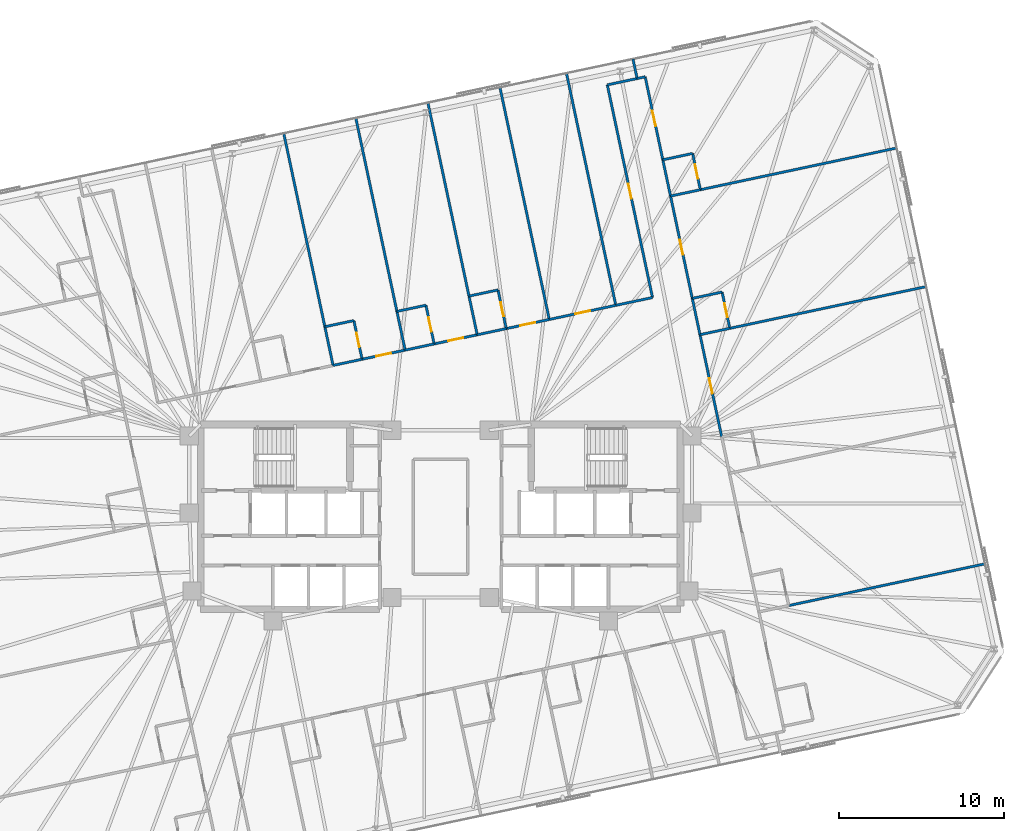
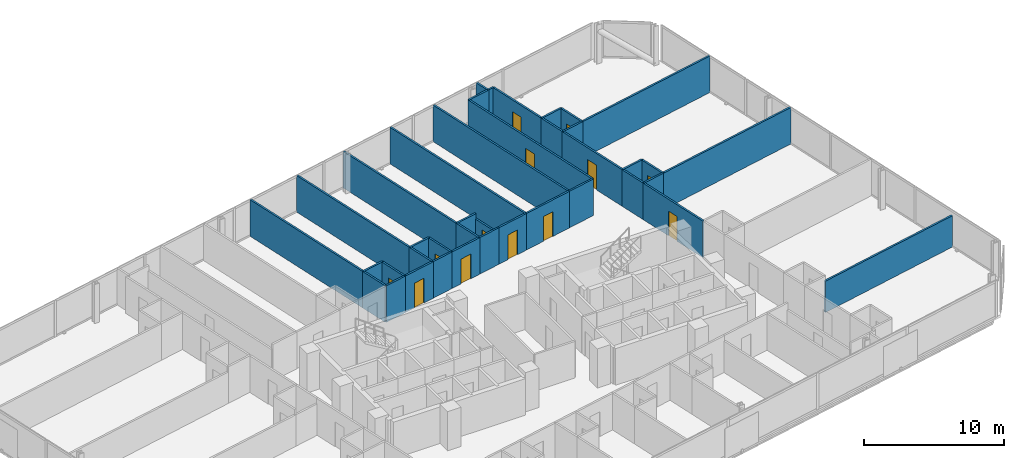
# One storey, part 18 of 20: 40 walls, 13 doors, 13 openings.
"""IFC4 building model written with IfcOpenShell, lengths in metres."""

from ifc_helpers import new_model, si_unit, direction, frame, frame_2d, origin, place, context, subcontext, project, spatial, rectangle, extrude, material, layer, layer_set, type_object, element, fill, save


model = new_model("IFC4")

# Units and contexts
model_context = context("Model", 3, precision=1e-05, world=origin(), true_north=direction((0.0, 1.0)))
body_context = subcontext(model_context, "Body", "Model", "MODEL_VIEW")
ifc_project = project(units=[si_unit("LENGTHUNIT", "METRE"), si_unit("AREAUNIT", "SQUARE_METRE"), si_unit("VOLUMEUNIT", "CUBIC_METRE"), si_unit("PLANEANGLEUNIT", "RADIAN"), si_unit("MASSUNIT", "GRAM", prefix="KILO")], contexts=[model_context])

# Site, building, storey
site_placement = place(None, origin())
site = spatial("IfcSite", under=ifc_project, at=site_placement, CompositionType="ELEMENT")
building_placement = place(site_placement, origin())
building = spatial("IfcBuilding", under=site, at=building_placement, Name="Menara Jurai Vektor", CompositionType="ELEMENT")
storey_placement = place(building_placement, frame((0.0, 0.0, 185.39990234375)))
storey = spatial("IfcBuildingStorey", under=building, at=storey_placement, Name="L48", CompositionType="ELEMENT", Elevation=185.39990234375)

# Wall, opening, door
ifc_material_1 = material(Name="Gypsum Fireboard Partition", Category="gypsum")
ifc_layer_1 = layer(ifc_material_1, 0.14990234375)
ifc_layer_set_1 = layer_set([ifc_layer_1], Name="Gypsum Fireboard Partition")
wall_type_1 = type_object("IfcWallType", Name="INT-WALL-CORR-150", PredefinedType="PARTITIONING", material=ifc_layer_set_1)
wall_1_placement = place(storey_placement, frame((-4.763427734375, 9.561279296875, 0.0), z_axis=(0.0, 0.0, 1.0), x_axis=(0.978139565144, 0.207949491702, 0.0)))
wall_1 = element("IfcWall", 1, at=wall_1_placement, inside=storey, type_object=wall_type_1, Name="Interior Wall IW-150 L48", PredefinedType="PARTITIONING", context=body_context, shape_type="SweptSolid", body=[
    extrude(rectangle(XDim=2.6708984375, YDim=0.14990234375, at=frame_2d((1.33544921875, 0.0))), origin(), (0.0, 0.0, 1.0), 3.175048828125),
])
opening_1_placement = place(wall_1_placement, frame((0.87548828125, 0.0, 0.0)))
opening_1 = element("IfcOpeningElement", 2, at=opening_1_placement, cuts=wall_1, Name="Opening D48-11", PredefinedType="OPENING", context=body_context, shape_type="SweptSolid", body=[
    extrude(rectangle(XDim=0.919921875, YDim=2.14990234375, at=frame_2d((0.4599609375, 1.074951171875))), frame((0.0, 0.0849609375, 0.0), z_axis=(0.0, -1.0, 0.0), x_axis=(1.0, 0.0, 0.0)), (0.0, 0.0, 1.0), 0.169921875),
])
ifc_material_2 = material(Name="Solid Core Timber Fire Door", Category="wood")
door_type_1 = type_object("IfcDoorType", Name="DR-ENTRY-950", OperationType="NOTDEFINED", PredefinedType="DOOR", material=ifc_material_2)
door_1_placement = place(opening_1_placement, origin())
door_1 = element("IfcDoor", 3, at=door_1_placement, inside=storey, type_object=door_type_1, Name="Interior Door D48-11", OperationType="SINGLE_SWING_RIGHT", OverallHeight=2.14990234375, OverallWidth=0.919921875, PredefinedType="DOOR", context=body_context, shape_type="SweptSolid", body=[
    extrude(rectangle(XDim=0.919921875, YDim=2.14990234375, at=frame_2d((0.4599609375, 1.074951171875))), frame((0.0, 0.02490234375, 0.0), z_axis=(0.0, -1.0, 0.0), x_axis=(1.0, 0.0, 0.0)), (0.0, 0.0, 1.0), 0.050048828125),
])
fill(opening_1, door_1)

# Wall
wall_2_placement = place(storey_placement, frame((-6.524169921875, 9.18701171875, 0.0), z_axis=(0.0, 0.0, 1.0), x_axis=(0.978146440129, 0.207917150959, 0.0)))
element("IfcWall", 4, at=wall_2_placement, inside=storey, type_object=wall_type_1, Name="Interior Wall IW-150 L48", PredefinedType="PARTITIONING", context=body_context, shape_type="SweptSolid", body=[
    extrude(rectangle(XDim=1.800048828125, YDim=0.14990234375, at=frame_2d((0.89990234375, 0.0))), origin(), (0.0, 0.0, 1.0), 3.175048828125),
])

# Wall, opening, door
wall_3_placement = place(storey_placement, frame((-0.39013671875, 10.490966796875, 0.0), z_axis=(0.0, 0.0, 1.0), x_axis=(0.978155367406, 0.207875148141, 0.0)))
wall_3 = element("IfcWall", 5, at=wall_3_placement, inside=storey, type_object=wall_type_1, Name="Interior Wall IW-150 L48", PredefinedType="PARTITIONING", context=body_context, shape_type="SweptSolid", body=[
    extrude(rectangle(XDim=2.671875, YDim=0.14990234375, at=frame_2d((1.3359375, 0.0))), origin(), (0.0, 0.0, 1.0), 3.175048828125),
])
opening_2_placement = place(wall_3_placement, frame((0.8759765625, 0.0, 0.0)))
opening_2 = element("IfcOpeningElement", 6, at=opening_2_placement, cuts=wall_3, Name="Opening D48-13", PredefinedType="OPENING", context=body_context, shape_type="SweptSolid", body=[
    extrude(rectangle(XDim=0.919921875, YDim=2.14990234375, at=frame_2d((0.4599609375, 1.074951171875))), frame((0.0, 0.0849609375, 0.0), z_axis=(0.0, -1.0, 0.0), x_axis=(1.0, 0.0, 0.0)), (0.0, 0.0, 1.0), 0.169921875),
])
door_2_placement = place(opening_2_placement, origin())
door_2 = element("IfcDoor", 7, at=door_2_placement, inside=storey, type_object=door_type_1, Name="Interior Door D48-13", OperationType="SINGLE_SWING_RIGHT", OverallHeight=2.14990234375, OverallWidth=0.919921875, PredefinedType="DOOR", context=body_context, shape_type="SweptSolid", body=[
    extrude(rectangle(XDim=0.919921875, YDim=2.14990234375, at=frame_2d((0.4599609375, 1.074951171875))), frame((0.0, 0.02490234375, 0.0), z_axis=(0.0, -1.0, 0.0), x_axis=(1.0, 0.0, 0.0)), (0.0, 0.0, 1.0), 0.050048828125),
])
fill(opening_2, door_2)

# Wall
wall_4_placement = place(storey_placement, frame((-2.15087890625, 10.11669921875, 0.0), z_axis=(0.0, 0.0, 1.0), x_axis=(0.978146440129, 0.207917150959, 0.0)))
element("IfcWall", 8, at=wall_4_placement, inside=storey, type_object=wall_type_1, Name="Interior Wall IW-150 L48", PredefinedType="PARTITIONING", context=body_context, shape_type="SweptSolid", body=[
    extrude(rectangle(XDim=1.800048828125, YDim=0.14990234375, at=frame_2d((0.89990234375, 0.0))), origin(), (0.0, 0.0, 1.0), 3.175048828125),
])

# Wall, opening, door
wall_5_placement = place(storey_placement, frame((3.984130859375, 11.420654296875, 0.0), z_axis=(0.0, 0.0, 1.0), x_axis=(0.978139565144, 0.207949491702, 0.0)))
wall_5 = element("IfcWall", 9, at=wall_5_placement, inside=storey, type_object=wall_type_1, Name="Interior Wall IW-150 L48", PredefinedType="PARTITIONING", context=body_context, shape_type="SweptSolid", body=[
    extrude(rectangle(XDim=2.6708984375, YDim=0.14990234375, at=frame_2d((1.33544921875, 0.0))), origin(), (0.0, 0.0, 1.0), 3.175048828125),
])
opening_3_placement = place(wall_5_placement, frame((0.87548828125, 0.0, 0.0)))
opening_3 = element("IfcOpeningElement", 10, at=opening_3_placement, cuts=wall_5, Name="Opening D48-15", PredefinedType="OPENING", context=body_context, shape_type="SweptSolid", body=[
    extrude(rectangle(XDim=0.919921875, YDim=2.14990234375, at=frame_2d((0.4599609375, 1.074951171875))), frame((0.0, 0.0849609375, 0.0), z_axis=(0.0, -1.0, 0.0), x_axis=(1.0, 0.0, 0.0)), (0.0, 0.0, 1.0), 0.169921875),
])
door_3_placement = place(opening_3_placement, origin())
door_3 = element("IfcDoor", 11, at=door_3_placement, inside=storey, type_object=door_type_1, Name="Interior Door D48-15", OperationType="SINGLE_SWING_RIGHT", OverallHeight=2.14990234375, OverallWidth=0.919921875, PredefinedType="DOOR", context=body_context, shape_type="SweptSolid", body=[
    extrude(rectangle(XDim=0.919921875, YDim=2.14990234375, at=frame_2d((0.4599609375, 1.074951171875))), frame((0.0, 0.02490234375, 0.0), z_axis=(0.0, -1.0, 0.0), x_axis=(1.0, 0.0, 0.0)), (0.0, 0.0, 1.0), 0.050048828125),
])
fill(opening_3, door_3)

# Wall
wall_6_placement = place(storey_placement, frame((2.223388671875, 11.04638671875, 0.0), z_axis=(0.0, 0.0, 1.0), x_axis=(0.978146440129, 0.207917150959, 0.0)))
element("IfcWall", 12, at=wall_6_placement, inside=storey, type_object=wall_type_1, Name="Interior Wall IW-150 L48", PredefinedType="PARTITIONING", context=body_context, shape_type="SweptSolid", body=[
    extrude(rectangle(XDim=1.800048828125, YDim=0.14990234375, at=frame_2d((0.89990234375, 0.0))), origin(), (0.0, 0.0, 1.0), 3.175048828125),
])

# Wall, opening, door
wall_7_placement = place(storey_placement, frame((6.5966796875, 11.97607421875, 0.0), z_axis=(0.0, 0.0, 1.0), x_axis=(0.978155092113, 0.207876443525, 0.0)))
wall_7 = element("IfcWall", 13, at=wall_7_placement, inside=storey, type_object=wall_type_1, Name="Interior Wall IW-150 L48", PredefinedType="PARTITIONING", context=body_context, shape_type="SweptSolid", body=[
    extrude(rectangle(XDim=4.126953125, YDim=0.14990234375, at=frame_2d((2.0634765625, 0.0))), origin(), (0.0, 0.0, 1.0), 3.175048828125),
])
opening_4_placement = place(wall_7_placement, frame((1.603515625, 0.0, 0.0)))
opening_4 = element("IfcOpeningElement", 14, at=opening_4_placement, cuts=wall_7, Name="Opening D48-17", PredefinedType="OPENING", context=body_context, shape_type="SweptSolid", body=[
    extrude(rectangle(XDim=0.919921875, YDim=2.14990234375, at=frame_2d((0.4599609375, 1.074951171875))), frame((0.0, 0.0849609375, 0.0), z_axis=(0.0, -1.0, 0.0), x_axis=(1.0, 0.0, 0.0)), (0.0, 0.0, 1.0), 0.169921875),
])
door_4_placement = place(opening_4_placement, origin())
door_4 = element("IfcDoor", 15, at=door_4_placement, inside=storey, type_object=door_type_1, Name="Interior Door D48-17", OperationType="SINGLE_SWING_RIGHT", OverallHeight=2.14990234375, OverallWidth=0.919921875, PredefinedType="DOOR", context=body_context, shape_type="SweptSolid", body=[
    extrude(rectangle(XDim=0.919921875, YDim=2.14990234375, at=frame_2d((0.4599609375, 1.074951171875))), frame((0.0, 0.02490234375, 0.0), z_axis=(0.0, -1.0, 0.0), x_axis=(1.0, 0.0, 0.0)), (0.0, 0.0, 1.0), 0.050048828125),
])
fill(opening_4, door_4)

# Wall
wall_8_placement = place(storey_placement, frame((10.633544921875, 12.833984375, 0.0), z_axis=(0.0, 0.0, 1.0), x_axis=(0.978147682212, 0.207911307493, 0.0)))
element("IfcWall", 16, at=wall_8_placement, inside=storey, type_object=wall_type_1, Name="Interior Wall IW-150 L48", PredefinedType="PARTITIONING", context=body_context, shape_type="SweptSolid", body=[
    extrude(rectangle(XDim=2.278076171875, YDim=0.14990234375, at=frame_2d((1.13916015625, 0.0))), origin(), (0.0, 0.0, 1.0), 3.175048828125),
])

# Wall, opening, door
wall_9_placement = place(storey_placement, frame((12.86181640625, 13.3076171875, 0.0), z_axis=(0.0, 0.0, 1.0), x_axis=(-0.207911421929, 0.978147657888, 0.0)))
wall_9 = element("IfcWall", 17, at=wall_9_placement, inside=storey, type_object=wall_type_1, Name="Interior Wall IW-150 L48", PredefinedType="PARTITIONING", context=body_context, shape_type="SweptSolid", body=[
    extrude(rectangle(XDim=13.195068359375, YDim=0.14990234375, at=frame_2d((6.59765625, 0.0))), origin(), (0.0, 0.0, 1.0), 3.175048828125),
])
opening_5_placement = place(wall_9_placement, frame((6.137451171875, 0.0, 0.0)))
opening_5 = element("IfcOpeningElement", 18, at=opening_5_placement, cuts=wall_9, Name="Opening D48-18", PredefinedType="OPENING", context=body_context, shape_type="SweptSolid", body=[
    extrude(rectangle(XDim=0.919921875, YDim=2.14990234375, at=frame_2d((0.4599609375, 1.074951171875))), frame((0.0, 0.0849609375, 0.0), z_axis=(0.0, -1.0, 0.0), x_axis=(1.0, 0.0, 0.0)), (0.0, 0.0, 1.0), 0.169921875),
])
door_5_placement = place(opening_5_placement, origin())
door_5 = element("IfcDoor", 19, at=door_5_placement, inside=storey, type_object=door_type_1, Name="Interior Door D48-18", OperationType="SINGLE_SWING_LEFT", OverallHeight=2.14990234375, OverallWidth=0.919921875, PredefinedType="DOOR", context=body_context, shape_type="SweptSolid", body=[
    extrude(rectangle(XDim=0.919921875, YDim=2.14990234375, at=frame_2d((0.4599609375, 1.074951171875))), frame((0.0, 0.02490234375, 0.0), z_axis=(0.0, -1.0, 0.0), x_axis=(1.0, 0.0, 0.0)), (0.0, 0.0, 1.0), 0.050048828125),
])
fill(opening_5, door_5)

# Wall
wall_10_placement = place(storey_placement, frame((10.118408203125, 26.21435546875, 0.0), z_axis=(0.0, 0.0, 1.0), x_axis=(0.978133353907, 0.20797870558, 0.0)))
element("IfcWall", 20, at=wall_10_placement, inside=storey, type_object=wall_type_1, Name="Interior Wall IW-150 L48", PredefinedType="PARTITIONING", context=body_context, shape_type="SweptSolid", body=[
    extrude(rectangle(XDim=1.85009765625, YDim=0.14990234375, at=frame_2d((0.925048828125, 0.0))), origin(), (0.0, 0.0, 1.0), 3.175048828125),
])

# Wall, opening, door
wall_11_placement = place(storey_placement, frame((17.06396484375, 4.84130859375, 0.0), z_axis=(0.0, 0.0, 1.0), x_axis=(-0.207924511115, 0.978144875608, 0.0)))
wall_11 = element("IfcWall", 21, at=wall_11_placement, inside=storey, type_object=wall_type_1, Name="Interior Wall IW-150 L48", PredefinedType="PARTITIONING", context=body_context, shape_type="SweptSolid", body=[
    extrude(rectangle(XDim=6.349853515625, YDim=0.14990234375, at=frame_2d((3.1748046875, 0.0))), origin(), (0.0, 0.0, 1.0), 3.175048828125),
])
opening_6_placement = place(wall_11_placement, frame((2.699951171875, 0.0, 0.0)))
opening_6 = element("IfcOpeningElement", 22, at=opening_6_placement, cuts=wall_11, Name="Opening D48-46", PredefinedType="OPENING", context=body_context, shape_type="SweptSolid", body=[
    extrude(rectangle(XDim=0.949951171875, YDim=2.14990234375, at=frame_2d((0.47509765625, 1.074951171875))), frame((0.0, 0.0849609375, 0.0), z_axis=(0.0, -1.0, 0.0), x_axis=(1.0, 0.0, 0.0)), (0.0, 0.0, 1.0), 0.169921875),
])
door_6_placement = place(opening_6_placement, origin())
door_6 = element("IfcDoor", 23, at=door_6_placement, inside=storey, type_object=door_type_1, Name="Interior Door D48-46", OperationType="SINGLE_SWING_LEFT", OverallHeight=2.14990234375, OverallWidth=0.949951171875, PredefinedType="DOOR", context=body_context, shape_type="SweptSolid", body=[
    extrude(rectangle(XDim=0.949951171875, YDim=2.14990234375, at=frame_2d((0.47509765625, 1.074951171875))), frame((0.0, 0.02490234375, 0.0), z_axis=(0.0, -1.0, 0.0), x_axis=(1.0, 0.0, 0.0)), (0.0, 0.0, 1.0), 0.050048828125),
])
fill(opening_6, door_6)

wall_12_placement = place(storey_placement, frame((15.27587890625, 13.25341796875, 0.0), z_axis=(0.0, 0.0, 1.0), x_axis=(-0.207924511115, 0.978144875608, 0.0)))
wall_12 = element("IfcWall", 24, at=wall_12_placement, inside=storey, type_object=wall_type_1, Name="Interior Wall IW-150 L48", PredefinedType="PARTITIONING", context=body_context, shape_type="SweptSolid", body=[
    extrude(rectangle(XDim=6.349853515625, YDim=0.14990234375, at=frame_2d((3.1748046875, 0.0))), origin(), (0.0, 0.0, 1.0), 3.175048828125),
])
opening_7_placement = place(wall_12_placement, frame((2.699951171875, 0.0, 0.0)))
opening_7 = element("IfcOpeningElement", 25, at=opening_7_placement, cuts=wall_12, Name="Opening D48-48", PredefinedType="OPENING", context=body_context, shape_type="SweptSolid", body=[
    extrude(rectangle(XDim=0.949951171875, YDim=2.14990234375, at=frame_2d((0.47509765625, 1.074951171875))), frame((0.0, 0.0849609375, 0.0), z_axis=(0.0, -1.0, 0.0), x_axis=(1.0, 0.0, 0.0)), (0.0, 0.0, 1.0), 0.169921875),
])
door_7_placement = place(opening_7_placement, origin())
door_7 = element("IfcDoor", 26, at=door_7_placement, inside=storey, type_object=door_type_1, Name="Interior Door D48-48", OperationType="SINGLE_SWING_LEFT", OverallHeight=2.14990234375, OverallWidth=0.949951171875, PredefinedType="DOOR", context=body_context, shape_type="SweptSolid", body=[
    extrude(rectangle(XDim=0.949951171875, YDim=2.14990234375, at=frame_2d((0.47509765625, 1.074951171875))), frame((0.0, 0.02490234375, 0.0), z_axis=(0.0, -1.0, 0.0), x_axis=(1.0, 0.0, 0.0)), (0.0, 0.0, 1.0), 0.050048828125),
])
fill(opening_7, door_7)

# Walls
wall_13_placement = place(storey_placement, frame((15.74365234375, 11.052490234375, 0.0), z_axis=(0.0, 0.0, 1.0), x_axis=(-0.207891197838, 0.978151956427, 0.0)))
element("IfcWall", 27, at=wall_13_placement, inside=storey, type_object=wall_type_1, Name="Interior Wall IW-150 L48", PredefinedType="PARTITIONING", context=body_context, shape_type="SweptSolid", body=[
    extrude(rectangle(XDim=2.25, YDim=0.14990234375, at=frame_2d((1.125, 0.0))), origin(), (0.0, 0.0, 1.0), 3.175048828125),
])
wall_14_placement = place(storey_placement, frame((11.927978515625, 26.59912109375, 0.0), z_axis=(0.0, 0.0, 1.0), x_axis=(0.97822210712, 0.207560856478, 0.0)))
element("IfcWall", 28, at=wall_14_placement, inside=storey, type_object=wall_type_1, Name="Interior Wall IW-150 L48", PredefinedType="PARTITIONING", context=body_context, shape_type="SweptSolid", body=[
    extrude(rectangle(XDim=0.5, YDim=0.14990234375, at=frame_2d((0.25, 0.0))), origin(), (0.0, 0.0, 1.0), 3.175048828125),
])

# Wall, opening, door
wall_15_placement = place(storey_placement, frame((13.48779296875, 21.66552734375, 0.0), z_axis=(0.0, 0.0, 1.0), x_axis=(-0.207926226209, 0.978144511028, 0.0)))
wall_15 = element("IfcWall", 29, at=wall_15_placement, inside=storey, type_object=wall_type_1, Name="Interior Wall IW-150 L48", PredefinedType="PARTITIONING", context=body_context, shape_type="SweptSolid", body=[
    extrude(rectangle(XDim=5.14990234375, YDim=0.14990234375, at=frame_2d((2.574951171875, 0.0))), origin(), (0.0, 0.0, 1.0), 3.175048828125),
])
opening_8_placement = place(wall_15_placement, frame((2.10009765625, 0.0, 0.0)))
opening_8 = element("IfcOpeningElement", 30, at=opening_8_placement, cuts=wall_15, Name="Opening D48-50", PredefinedType="OPENING", context=body_context, shape_type="SweptSolid", body=[
    extrude(rectangle(XDim=0.949951171875, YDim=2.14990234375, at=frame_2d((0.47509765625, 1.074951171875))), frame((0.0, 0.0849609375, 0.0), z_axis=(0.0, -1.0, 0.0), x_axis=(1.0, 0.0, 0.0)), (0.0, 0.0, 1.0), 0.169921875),
])
door_8_placement = place(opening_8_placement, origin())
door_8 = element("IfcDoor", 31, at=door_8_placement, inside=storey, type_object=door_type_1, Name="Interior Door D48-50", OperationType="SINGLE_SWING_LEFT", OverallHeight=2.14990234375, OverallWidth=0.949951171875, PredefinedType="DOOR", context=body_context, shape_type="SweptSolid", body=[
    extrude(rectangle(XDim=0.949951171875, YDim=2.14990234375, at=frame_2d((0.47509765625, 1.074951171875))), frame((0.0, 0.02490234375, 0.0), z_axis=(0.0, -1.0, 0.0), x_axis=(1.0, 0.0, 0.0)), (0.0, 0.0, 1.0), 0.050048828125),
])
fill(opening_8, door_8)

# Walls
wall_16_placement = place(storey_placement, frame((13.95556640625, 19.464599609375, 0.0), z_axis=(0.0, 0.0, 1.0), x_axis=(-0.207891197838, 0.978151956427, 0.0)))
element("IfcWall", 32, at=wall_16_placement, inside=storey, type_object=wall_type_1, Name="Interior Wall IW-150 L48", PredefinedType="PARTITIONING", context=body_context, shape_type="SweptSolid", body=[
    extrude(rectangle(XDim=2.25, YDim=0.14990234375, at=frame_2d((1.125, 0.0))), origin(), (0.0, 0.0, 1.0), 3.175048828125),
])
wall_17_placement = place(storey_placement, frame((-7.023193359375, 11.53466796875, 0.0), z_axis=(0.0, 0.0, 1.0), x_axis=(-0.207910848762, 0.978147779718, 0.0)))
element("IfcWall", 33, at=wall_17_placement, inside=storey, type_object=wall_type_1, Name="Interior Wall IW-150 L48", PredefinedType="PARTITIONING", context=body_context, shape_type="SweptSolid", body=[
    extrude(rectangle(XDim=11.9951171875, YDim=0.14990234375, at=frame_2d((5.99755859375, 0.0))), origin(), (0.0, 0.0, 1.0), 3.175048828125),
])
wall_18_placement = place(storey_placement, frame((-6.524169921875, 9.18701171875, 0.0), z_axis=(0.0, 0.0, 1.0), x_axis=(-0.207917150959, 0.978146440129, 0.0)))
element("IfcWall", 34, at=wall_18_placement, inside=storey, type_object=wall_type_1, Name="Interior Wall IW-150 L48", PredefinedType="PARTITIONING", context=body_context, shape_type="SweptSolid", body=[
    extrude(rectangle(XDim=2.400146484375, YDim=0.14990234375, at=frame_2d((1.2001953125, 0.0))), origin(), (0.0, 0.0, 1.0), 3.175048828125),
])
wall_19_placement = place(storey_placement, frame((-7.023193359375, 11.53466796875, 0.0), z_axis=(0.0, 0.0, 1.0), x_axis=(0.978146440129, 0.207917150959, 0.0)))
element("IfcWall", 35, at=wall_19_placement, inside=storey, type_object=wall_type_1, Name="Interior Wall IW-150 L48", PredefinedType="PARTITIONING", context=body_context, shape_type="SweptSolid", body=[
    extrude(rectangle(XDim=1.800048828125, YDim=0.14990234375, at=frame_2d((0.89990234375, 0.0))), origin(), (0.0, 0.0, 1.0), 3.175048828125),
])

# Wall, opening, door
wall_20_placement = place(storey_placement, frame((-4.763427734375, 9.561279296875, 0.0), z_axis=(0.0, 0.0, 1.0), x_axis=(-0.207917150959, 0.978146440129, 0.0)))
wall_20 = element("IfcWall", 36, at=wall_20_placement, inside=storey, type_object=wall_type_1, Name="Interior Wall IW-150 L48", PredefinedType="PARTITIONING", context=body_context, shape_type="SweptSolid", body=[
    extrude(rectangle(XDim=2.400146484375, YDim=0.14990234375, at=frame_2d((1.2001953125, 0.0))), origin(), (0.0, 0.0, 1.0), 3.175048828125),
])
opening_9_placement = place(wall_20_placement, frame((0.760009765625, 0.0, 0.0)))
opening_9 = element("IfcOpeningElement", 37, at=opening_9_placement, cuts=wall_20, Name="Opening D48-12", PredefinedType="OPENING", context=body_context, shape_type="SweptSolid", body=[
    extrude(rectangle(XDim=0.8798828125, YDim=2.14990234375, at=frame_2d((0.43994140625, 1.074951171875))), frame((0.0, 0.0849609375, 0.0), z_axis=(0.0, -1.0, 0.0), x_axis=(1.0, 0.0, 0.0)), (0.0, 0.0, 1.0), 0.169921875),
])
ifc_material_3 = material(Name="Moisture-Resistant Timber Door", Category="wood")
door_type_2 = type_object("IfcDoorType", Name="DR-BATH-880", OperationType="NOTDEFINED", PredefinedType="DOOR", material=ifc_material_3)
door_9_placement = place(opening_9_placement, origin())
door_9 = element("IfcDoor", 38, at=door_9_placement, inside=storey, type_object=door_type_2, Name="Interior Door D48-12", OperationType="SINGLE_SWING_LEFT", OverallHeight=2.14990234375, OverallWidth=0.8798828125, PredefinedType="DOOR", context=body_context, shape_type="SweptSolid", body=[
    extrude(rectangle(XDim=0.8798828125, YDim=2.14990234375, at=frame_2d((0.43994140625, 1.074951171875))), frame((0.0, 0.02490234375, 0.0), z_axis=(0.0, -1.0, 0.0), x_axis=(1.0, 0.0, 0.0)), (0.0, 0.0, 1.0), 0.050048828125),
])
fill(opening_9, door_9)

# Walls
wall_21_placement = place(storey_placement, frame((-2.64990234375, 12.46435546875, 0.0), z_axis=(0.0, 0.0, 1.0), x_axis=(-0.207914988081, 0.978146899873, 0.0)))
element("IfcWall", 39, at=wall_21_placement, inside=storey, type_object=wall_type_1, Name="Interior Wall IW-150 L48", PredefinedType="PARTITIONING", context=body_context, shape_type="SweptSolid", body=[
    extrude(rectangle(XDim=11.994873046875, YDim=0.14990234375, at=frame_2d((5.99755859375, 0.0))), origin(), (0.0, 0.0, 1.0), 3.175048828125),
])
wall_22_placement = place(storey_placement, frame((-2.15087890625, 10.11669921875, 0.0), z_axis=(0.0, 0.0, 1.0), x_axis=(-0.207917150959, 0.978146440129, 0.0)))
element("IfcWall", 40, at=wall_22_placement, inside=storey, type_object=wall_type_1, Name="Interior Wall IW-150 L48", PredefinedType="PARTITIONING", context=body_context, shape_type="SweptSolid", body=[
    extrude(rectangle(XDim=2.400146484375, YDim=0.14990234375, at=frame_2d((1.2001953125, 0.0))), origin(), (0.0, 0.0, 1.0), 3.175048828125),
])
wall_23_placement = place(storey_placement, frame((-2.64990234375, 12.46435546875, 0.0), z_axis=(0.0, 0.0, 1.0), x_axis=(0.978174015353, 0.207787380965, 0.0)))
element("IfcWall", 41, at=wall_23_placement, inside=storey, type_object=wall_type_1, Name="Interior Wall IW-150 L48", PredefinedType="PARTITIONING", context=body_context, shape_type="SweptSolid", body=[
    extrude(rectangle(XDim=1.800048828125, YDim=0.14990234375, at=frame_2d((0.89990234375, 0.0))), origin(), (0.0, 0.0, 1.0), 3.175048828125),
])

# Wall, opening, door
wall_24_placement = place(storey_placement, frame((-0.39013671875, 10.490966796875, 0.0), z_axis=(0.0, 0.0, 1.0), x_axis=(-0.207937840262, 0.978142042133, 0.0)))
wall_24 = element("IfcWall", 42, at=wall_24_placement, inside=storey, type_object=wall_type_1, Name="Interior Wall IW-150 L48", PredefinedType="PARTITIONING", context=body_context, shape_type="SweptSolid", body=[
    extrude(rectangle(XDim=2.39990234375, YDim=0.14990234375, at=frame_2d((1.199951171875, 0.0))), origin(), (0.0, 0.0, 1.0), 3.175048828125),
])
opening_10_placement = place(wall_24_placement, frame((0.760009765625, 0.0, 0.0)))
opening_10 = element("IfcOpeningElement", 43, at=opening_10_placement, cuts=wall_24, Name="Opening D48-14", PredefinedType="OPENING", context=body_context, shape_type="SweptSolid", body=[
    extrude(rectangle(XDim=0.8798828125, YDim=2.14990234375, at=frame_2d((0.43994140625, 1.074951171875))), frame((0.0, 0.0849609375, 0.0), z_axis=(0.0, -1.0, 0.0), x_axis=(1.0, 0.0, 0.0)), (0.0, 0.0, 1.0), 0.169921875),
])
door_10_placement = place(opening_10_placement, origin())
door_10 = element("IfcDoor", 44, at=door_10_placement, inside=storey, type_object=door_type_2, Name="Interior Door D48-14", OperationType="SINGLE_SWING_LEFT", OverallHeight=2.14990234375, OverallWidth=0.8798828125, PredefinedType="DOOR", context=body_context, shape_type="SweptSolid", body=[
    extrude(rectangle(XDim=0.8798828125, YDim=2.14990234375, at=frame_2d((0.43994140625, 1.074951171875))), frame((0.0, 0.02490234375, 0.0), z_axis=(0.0, -1.0, 0.0), x_axis=(1.0, 0.0, 0.0)), (0.0, 0.0, 1.0), 0.050048828125),
])
fill(opening_10, door_10)

# Walls
wall_25_placement = place(storey_placement, frame((1.724609375, 13.39404296875, 0.0), z_axis=(0.0, 0.0, 1.0), x_axis=(-0.207910848762, 0.978147779718, 0.0)))
element("IfcWall", 45, at=wall_25_placement, inside=storey, type_object=wall_type_1, Name="Interior Wall IW-150 L48", PredefinedType="PARTITIONING", context=body_context, shape_type="SweptSolid", body=[
    extrude(rectangle(XDim=11.9951171875, YDim=0.14990234375, at=frame_2d((5.99755859375, 0.0))), origin(), (0.0, 0.0, 1.0), 3.175048828125),
])
wall_26_placement = place(storey_placement, frame((2.223388671875, 11.04638671875, 0.0), z_axis=(0.0, 0.0, 1.0), x_axis=(-0.207819824493, 0.978167123015, 0.0)))
element("IfcWall", 46, at=wall_26_placement, inside=storey, type_object=wall_type_1, Name="Interior Wall IW-150 L48", PredefinedType="PARTITIONING", context=body_context, shape_type="SweptSolid", body=[
    extrude(rectangle(XDim=2.400146484375, YDim=0.14990234375, at=frame_2d((1.2001953125, 0.0))), origin(), (0.0, 0.0, 1.0), 3.175048828125),
])
wall_27_placement = place(storey_placement, frame((1.724609375, 13.39404296875, 0.0), z_axis=(0.0, 0.0, 1.0), x_axis=(0.978140575842, 0.207944737591, 0.0)))
element("IfcWall", 47, at=wall_27_placement, inside=storey, type_object=wall_type_1, Name="Interior Wall IW-150 L48", PredefinedType="PARTITIONING", context=body_context, shape_type="SweptSolid", body=[
    extrude(rectangle(XDim=1.7998046875, YDim=0.14990234375, at=frame_2d((0.89990234375, 0.0))), origin(), (0.0, 0.0, 1.0), 3.175048828125),
])
wall_28_placement = place(storey_placement, frame((6.5966796875, 11.97607421875, 0.0), z_axis=(0.0, 0.0, 1.0), x_axis=(-0.207899121568, 0.978150272326, 0.0)))
element("IfcWall", 48, at=wall_28_placement, inside=storey, type_object=wall_type_1, Name="Interior Wall IW-150 L48", PredefinedType="PARTITIONING", context=body_context, shape_type="SweptSolid", body=[
    extrude(rectangle(XDim=14.394775390625, YDim=0.14990234375, at=frame_2d((7.197265625, 0.0))), origin(), (0.0, 0.0, 1.0), 3.175048828125),
])
wall_29_placement = place(storey_placement, frame((10.633544921875, 12.833984375, 0.0), z_axis=(0.0, 0.0, 1.0), x_axis=(-0.207911899531, 0.97814755637, 0.0)))
element("IfcWall", 49, at=wall_29_placement, inside=storey, type_object=wall_type_1, Name="Interior Wall IW-150 L48", PredefinedType="PARTITIONING", context=body_context, shape_type="SweptSolid", body=[
    extrude(rectangle(XDim=14.39501953125, YDim=0.14990234375, at=frame_2d((7.197509765625, 0.0))), origin(), (0.0, 0.0, 1.0), 3.175048828125),
])
wall_30_placement = place(storey_placement, frame((11.927978515625, 26.59912109375, 0.0), z_axis=(0.0, 0.0, 1.0), x_axis=(-0.20795853359, 0.978137642823, 0.0)))
element("IfcWall", 50, at=wall_30_placement, inside=storey, type_object=wall_type_1, Name="Interior Wall IW-150 L48", PredefinedType="PARTITIONING", context=body_context, shape_type="SweptSolid", body=[
    extrude(rectangle(XDim=1.19970703125, YDim=0.14990234375, at=frame_2d((0.599853515625, 0.0))), origin(), (0.0, 0.0, 1.0), 3.175048828125),
])
wall_31_placement = place(storey_placement, frame((17.55322265625, 11.437255859375, 0.0), z_axis=(0.0, 0.0, 1.0), x_axis=(0.97814556055, 0.207921288896, 0.0)))
element("IfcWall", 51, at=wall_31_placement, inside=storey, type_object=wall_type_1, Name="Interior Wall IW-150 L48", PredefinedType="PARTITIONING", context=body_context, shape_type="SweptSolid", body=[
    extrude(rectangle(XDim=12.18701171875, YDim=0.14990234375, at=frame_2d((6.093505859375, 0.0))), origin(), (0.0, 0.0, 1.0), 3.175048828125),
])
for number, where, z_axis, x_axis, name in (
    (52, (15.74365234375, 11.052490234375, 0.0), (0.0, 0.0, 1.0), (0.978133353907, 0.20797870558, 0.0), "Interior Wall IW-150 L48"),
    (53, (15.27587890625, 13.25341796875, 0.0), (0.0, 0.0, 1.0), (0.978133353907, 0.20797870558, 0.0), "Interior Wall IW-150 L48"),
):
    element("IfcWall", number, at=place(storey_placement, frame(where, z_axis=z_axis, x_axis=x_axis)), inside=storey, type_object=wall_type_1, Name=name, PredefinedType="PARTITIONING", context=body_context, shape_type="SweptSolid", body=[
        extrude(rectangle(XDim=1.85009765625, YDim=0.14990234375, at=frame_2d((0.925048828125, 0.0))), origin(), (0.0, 0.0, 1.0), 3.175048828125),
    ])

# Wall, opening, door
wall_32_placement = place(storey_placement, frame((17.55322265625, 11.437255859375, 0.0), z_axis=(0.0, 0.0, 1.0), x_axis=(-0.207891197838, 0.978151956427, 0.0)))
wall_32 = element("IfcWall", 54, at=wall_32_placement, inside=storey, type_object=wall_type_1, Name="Interior Wall IW-150 L48", PredefinedType="PARTITIONING", context=body_context, shape_type="SweptSolid", body=[
    extrude(rectangle(XDim=2.25, YDim=0.14990234375, at=frame_2d((1.125, 0.0))), origin(), (0.0, 0.0, 1.0), 3.175048828125),
])
opening_11_placement = place(wall_32_placement, frame((0.68505859375, 0.0, 0.0)))
opening_11 = element("IfcOpeningElement", 55, at=opening_11_placement, cuts=wall_32, Name="Opening D48-49", PredefinedType="OPENING", context=body_context, shape_type="SweptSolid", body=[
    extrude(rectangle(XDim=0.8798828125, YDim=2.14990234375, at=frame_2d((0.43994140625, 1.074951171875))), frame((0.0, 0.0849609375, 0.0), z_axis=(0.0, -1.0, 0.0), x_axis=(1.0, 0.0, 0.0)), (0.0, 0.0, 1.0), 0.169921875),
])
door_11_placement = place(opening_11_placement, origin())
door_11 = element("IfcDoor", 56, at=door_11_placement, inside=storey, type_object=door_type_2, Name="Interior Door D48-49", OperationType="SINGLE_SWING_RIGHT", OverallHeight=2.14990234375, OverallWidth=0.8798828125, PredefinedType="DOOR", context=body_context, shape_type="SweptSolid", body=[
    extrude(rectangle(XDim=0.8798828125, YDim=2.14990234375, at=frame_2d((0.43994140625, 1.074951171875))), frame((0.0, 0.02490234375, 0.0), z_axis=(0.0, -1.0, 0.0), x_axis=(1.0, 0.0, 0.0)), (0.0, 0.0, 1.0), 0.050048828125),
])
fill(opening_11, door_11)

# Walls
wall_33_placement = place(storey_placement, frame((15.76513671875, 19.849365234375, 0.0), z_axis=(0.0, 0.0, 1.0), x_axis=(0.978149634612, 0.207902121941, 0.0)))
element("IfcWall", 57, at=wall_33_placement, inside=storey, type_object=wall_type_1, Name="Interior Wall IW-150 L48", PredefinedType="PARTITIONING", context=body_context, shape_type="SweptSolid", body=[
    extrude(rectangle(XDim=12.18701171875, YDim=0.14990234375, at=frame_2d((6.093505859375, 0.0))), origin(), (0.0, 0.0, 1.0), 3.175048828125),
])
for number, where, z_axis, x_axis, name in (
    (58, (13.95556640625, 19.464599609375, 0.0), (0.0, 0.0, 1.0), (0.978133353907, 0.20797870558, 0.0), "Interior Wall IW-150 L48"),
    (59, (13.48779296875, 21.66552734375, 0.0), (0.0, 0.0, 1.0), (0.978133353907, 0.20797870558, 0.0), "Interior Wall IW-150 L48"),
):
    element("IfcWall", number, at=place(storey_placement, frame(where, z_axis=z_axis, x_axis=x_axis)), inside=storey, type_object=wall_type_1, Name=name, PredefinedType="PARTITIONING", context=body_context, shape_type="SweptSolid", body=[
        extrude(rectangle(XDim=1.85009765625, YDim=0.14990234375, at=frame_2d((0.925048828125, 0.0))), origin(), (0.0, 0.0, 1.0), 3.175048828125),
    ])

# Wall, opening, door
wall_34_placement = place(storey_placement, frame((15.76513671875, 19.849365234375, 0.0), z_axis=(0.0, 0.0, 1.0), x_axis=(-0.207891197838, 0.978151956427, 0.0)))
wall_34 = element("IfcWall", 60, at=wall_34_placement, inside=storey, type_object=wall_type_1, Name="Interior Wall IW-150 L48", PredefinedType="PARTITIONING", context=body_context, shape_type="SweptSolid", body=[
    extrude(rectangle(XDim=2.25, YDim=0.14990234375, at=frame_2d((1.125, 0.0))), origin(), (0.0, 0.0, 1.0), 3.175048828125),
])
opening_12_placement = place(wall_34_placement, frame((0.68505859375, 0.0, 0.0)))
opening_12 = element("IfcOpeningElement", 61, at=opening_12_placement, cuts=wall_34, Name="Opening D48-51", PredefinedType="OPENING", context=body_context, shape_type="SweptSolid", body=[
    extrude(rectangle(XDim=0.8798828125, YDim=2.14990234375, at=frame_2d((0.43994140625, 1.074951171875))), frame((0.0, 0.0849609375, 0.0), z_axis=(0.0, -1.0, 0.0), x_axis=(1.0, 0.0, 0.0)), (0.0, 0.0, 1.0), 0.169921875),
])
door_12_placement = place(opening_12_placement, origin())
door_12 = element("IfcDoor", 62, at=door_12_placement, inside=storey, type_object=door_type_2, Name="Interior Door D48-51", OperationType="SINGLE_SWING_RIGHT", OverallHeight=2.14990234375, OverallWidth=0.8798828125, PredefinedType="DOOR", context=body_context, shape_type="SweptSolid", body=[
    extrude(rectangle(XDim=0.8798828125, YDim=2.14990234375, at=frame_2d((0.43994140625, 1.074951171875))), frame((0.0, 0.02490234375, 0.0), z_axis=(0.0, -1.0, 0.0), x_axis=(1.0, 0.0, 0.0)), (0.0, 0.0, 1.0), 0.050048828125),
])
fill(opening_12, door_12)

ifc_layer_2 = layer(ifc_material_1, 0.14990234375)
ifc_layer_set_2 = layer_set([ifc_layer_2], Name="Gypsum Fireboard Partition")
wall_type_2 = type_object("IfcWallType", Name="INT-WALL-CORR-150-H1", PredefinedType="PARTITIONING", material=ifc_layer_set_2)
wall_35_placement = place(storey_placement, frame((3.984130859375, 11.420654296875, 0.0), z_axis=(0.0, 0.0, 1.0), x_axis=(-0.207917150959, 0.978146440129, 0.0)))
wall_35 = element("IfcWall", 63, at=wall_35_placement, inside=storey, type_object=wall_type_2, Name="Interior Wall IW-150 L48", PredefinedType="PARTITIONING", context=body_context, shape_type="SweptSolid", body=[
    extrude(rectangle(XDim=2.400146484375, YDim=0.14990234375, at=frame_2d((1.2001953125, 0.0))), origin(), (0.0, 0.0, 1.0), 2.72509765625),
])
opening_13_placement = place(wall_35_placement, frame((0.760009765625, 0.0, 0.0)))
opening_13 = element("IfcOpeningElement", 64, at=opening_13_placement, cuts=wall_35, Name="Opening D48-16", PredefinedType="OPENING", context=body_context, shape_type="SweptSolid", body=[
    extrude(rectangle(XDim=0.8798828125, YDim=2.14990234375, at=frame_2d((0.43994140625, 1.074951171875))), frame((0.0, 0.0849609375, 0.0), z_axis=(0.0, -1.0, 0.0), x_axis=(1.0, 0.0, 0.0)), (0.0, 0.0, 1.0), 0.169921875),
])
door_13_placement = place(opening_13_placement, origin())
door_13 = element("IfcDoor", 65, at=door_13_placement, inside=storey, type_object=door_type_2, Name="Interior Door D48-16", OperationType="SINGLE_SWING_LEFT", OverallHeight=2.14990234375, OverallWidth=0.8798828125, PredefinedType="DOOR", context=body_context, shape_type="SweptSolid", body=[
    extrude(rectangle(XDim=0.8798828125, YDim=2.14990234375, at=frame_2d((0.43994140625, 1.074951171875))), frame((0.0, 0.02490234375, 0.0), z_axis=(0.0, -1.0, 0.0), x_axis=(1.0, 0.0, 0.0)), (0.0, 0.0, 1.0), 0.050048828125),
])
fill(opening_13, door_13)

# Wall
wall_36_placement = place(storey_placement, frame((21.12939453125, -5.386962890625, 0.0), z_axis=(0.0, 0.0, 1.0), x_axis=(0.97814556055, 0.207921288896, 0.0)))
element("IfcWall", 66, at=wall_36_placement, inside=storey, type_object=wall_type_2, Name="Interior Wall IW-150 L48", PredefinedType="PARTITIONING", context=body_context, shape_type="SweptSolid", body=[
    extrude(rectangle(XDim=12.18701171875, YDim=0.14990234375, at=frame_2d((6.093505859375, 0.0))), origin(), (0.0, 0.0, 1.0), 2.72509765625),
])

save(model, "model.ifc")
